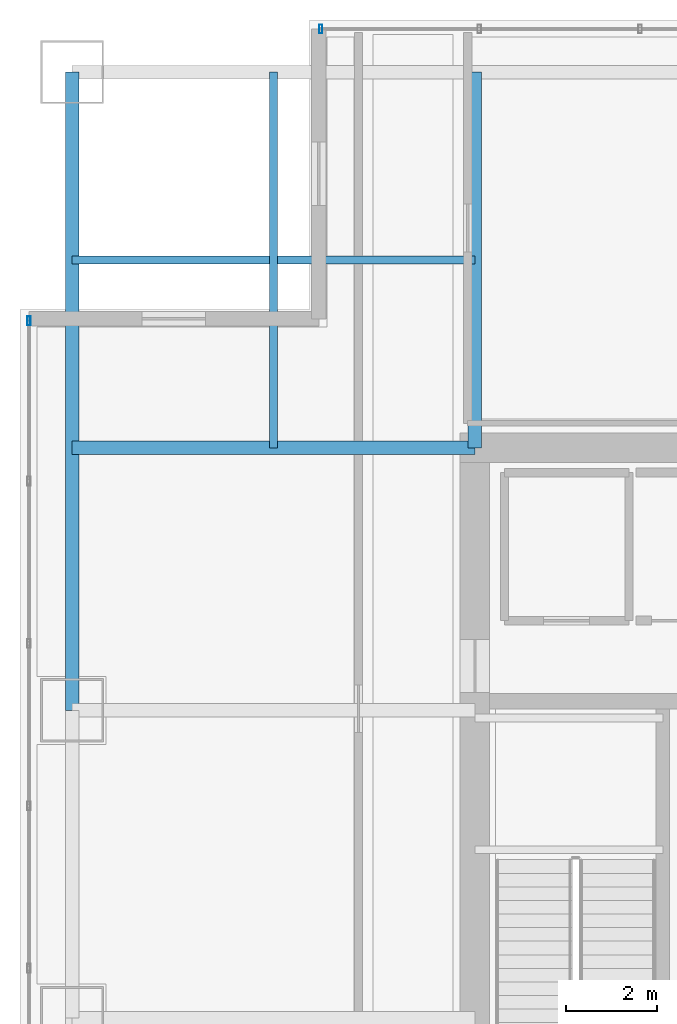
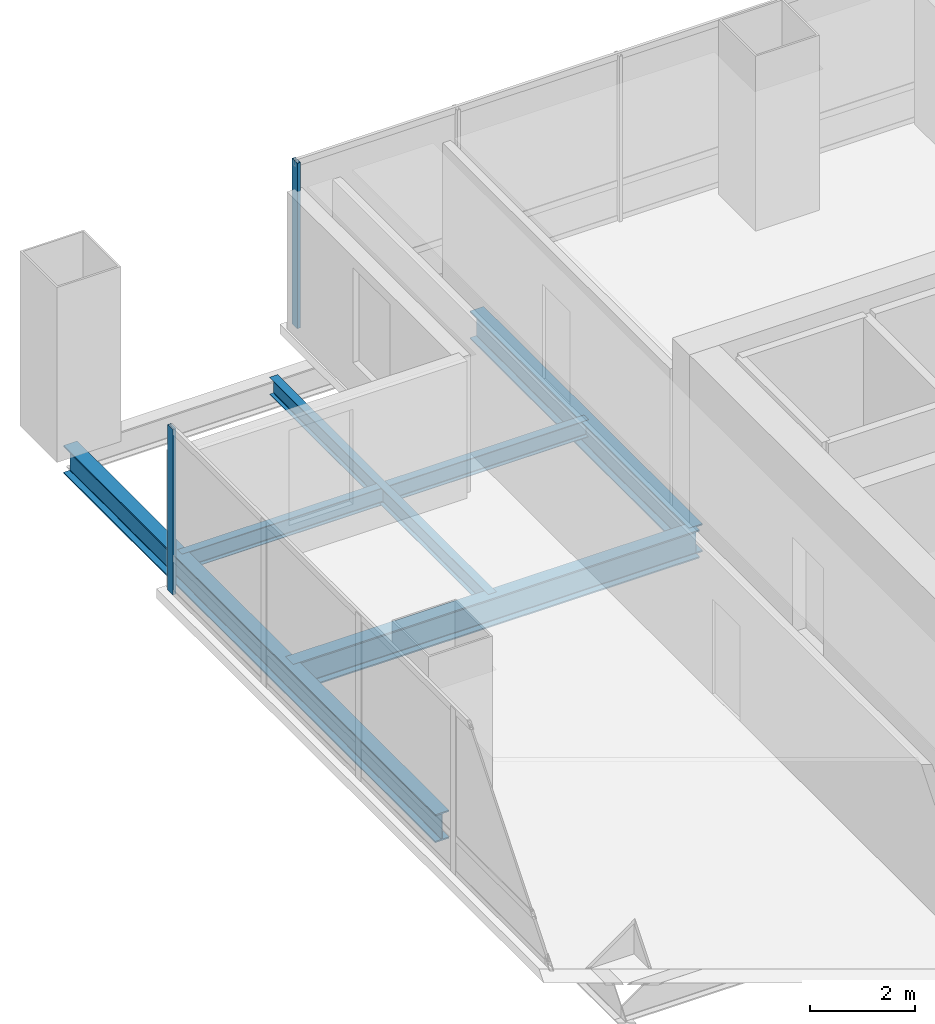
# One storey, part 21 of 36: 5 beams, 2 members, 2 elements without a shape of their own.
"""IFC4 building model written with IfcOpenShell, lengths in metres."""

import ifcopenshell
import ifcopenshell.guid

model = None  # the IFC model being written
_history = None  # IfcOwnerHistory: only IFC2X3 demands one
_inside = {}  # id of a spatial element -> (the spatial element, [elements in it])
_under = {}  # id of a project, library or spatial element -> (it, [spatial elements below it])
_declared = {}  # id of a project -> (the project, [libraries it declares])
_typed = {}  # id of a type object -> (the type object, [elements of that type])
_made_of = {}  # id of a material, layer set ... -> (it, [elements and type objects made of it])


def new_model(schema):
    """Start an empty IFC model of exactly this schema.

    Asked for "IFC4X3", IfcOpenShell would pick the latest addendum, in which some entities
    have other attributes; the version numbers below select the first issue.
    IFC2X3 requires an IfcOwnerHistory on every rooted entity: one is made here for all.
    """
    global model, _history
    if schema == "IFC4X3":
        model = ifcopenshell.file(schema_version=(4, 3, 0, 0))
    else:
        model = ifcopenshell.file(schema=schema)
    _inside.clear()
    _under.clear()
    _declared.clear()
    _typed.clear()
    _made_of.clear()
    _history = None
    if model.schema == "IFC2X3":
        org = make("IfcOrganization", Name="unknown")
        user = make(
            "IfcPersonAndOrganization",
            ThePerson=make("IfcPerson", FamilyName="unknown"),
            TheOrganization=org,
        )
        app = make(
            "IfcApplication",
            ApplicationDeveloper=org,
            Version="unknown",
            ApplicationFullName="unknown",
            ApplicationIdentifier="unknown",
        )
        _history = make(
            "IfcOwnerHistory",
            OwningUser=user,
            OwningApplication=app,
            ChangeAction="ADDED",
            CreationDate=0,
        )
    return model


def make(cls, **values):
    """One entity of the class cls with the attributes given. An attribute that is None is left unset."""
    return model.create_entity(
        cls, **{name: value for name, value in values.items() if value is not None}
    )


def rooted(cls, **values):
    """An entity with a GlobalId (a new one), such as an element, a storey or a relation."""
    return make(cls, GlobalId=ifcopenshell.guid.new(), OwnerHistory=_history, **values)


def si_unit(unit_type, name, prefix=None):
    """IfcSIUnit, for example si_unit("LENGTHUNIT", "METRE", prefix="MILLI")."""
    return make("IfcSIUnit", UnitType=unit_type, Prefix=prefix, Name=name)


def assignment(units):
    """IfcUnitAssignment: the units of a project."""
    return None if units is None else make("IfcUnitAssignment", Units=units)


def point(xyz):
    """IfcCartesianPoint."""
    return None if xyz is None else make("IfcCartesianPoint", Coordinates=xyz)


def direction(xyz):
    """IfcDirection."""
    return None if xyz is None else make("IfcDirection", DirectionRatios=xyz)


def frame(location, z_axis=None, x_axis=None):
    """IfcAxis2Placement3D, a coordinate frame: its origin and axes. An axis left out is left unset."""
    return make(
        "IfcAxis2Placement3D",
        Location=point(location),
        Axis=direction(z_axis),
        RefDirection=direction(x_axis),
    )


def frame_2d(location, x_axis=None):
    """IfcAxis2Placement2D, a coordinate frame in the plane: its origin and x axis."""
    return make(
        "IfcAxis2Placement2D", Location=point(location), RefDirection=direction(x_axis)
    )


def origin():
    """The frame at (0, 0, 0) with its axes left unset."""
    return frame((0.0, 0.0, 0.0))


def origin_2d():
    """The frame at (0, 0) in the plane with its x axis left unset."""
    return frame_2d((0.0, 0.0))


def place(relative_to, where):
    """IfcLocalPlacement: puts the frame where relative to a parent placement (None: the world)."""
    return make(
        "IfcLocalPlacement", PlacementRelTo=relative_to, RelativePlacement=where
    )


def context(
    kind, dimensions, precision=None, world=None, true_north=None, identifier=None
):
    """IfcGeometricRepresentationContext, for example the 3D "Model" context."""
    return make(
        "IfcGeometricRepresentationContext",
        ContextIdentifier=identifier,
        ContextType=kind,
        CoordinateSpaceDimension=dimensions,
        Precision=precision,
        WorldCoordinateSystem=world,
        TrueNorth=true_north,
    )


def subcontext(parent, identifier, kind, view, scale=None):
    """IfcGeometricRepresentationSubContext, for example "Body" below "Model"."""
    return make(
        "IfcGeometricRepresentationSubContext",
        ContextIdentifier=identifier,
        ContextType=kind,
        ParentContext=parent,
        TargetScale=scale,
        TargetView=view,
    )


def project(units=None, contexts=None):
    """IfcProject with its units and contexts."""
    return rooted(
        "IfcProject",
        Name="project",
        RepresentationContexts=contexts,
        UnitsInContext=assignment(units),
    )


def spatial(cls, under=None, at=None, **own):
    """A site, building, storey or space (cls), placed at a placement, below another one or the project."""
    s = rooted(cls, ObjectPlacement=at, **own)
    if under is not None:
        _under.setdefault(under.id(), (under, []))[1].append(s)
    return s


def profile(cls, at=None, kind="AREA", **sizes):
    """A parametric profile (cls). Its sizes go by their IFC names, for example OverallWidth=200.0."""
    return make(cls, ProfileType=kind, Position=at, **sizes)


def hollow_rectangle(**sizes):
    """IfcRectangleHollowProfileDef."""
    return profile("IfcRectangleHollowProfileDef", **sizes)


def i_section(**sizes):
    """IfcIShapeProfileDef."""
    return profile("IfcIShapeProfileDef", **sizes)


def extrude(swept, where, along, depth):
    """IfcExtrudedAreaSolid: the profile swept, set in the frame where, extruded along a direction by depth."""
    return make(
        "IfcExtrudedAreaSolid",
        SweptArea=swept,
        Position=where,
        ExtrudedDirection=direction(along),
        Depth=depth,
    )


def shape(context_of_items, identifier, shape_type, items):
    """IfcShapeRepresentation: the items that make up one representation, for example the "Body"."""
    return make(
        "IfcShapeRepresentation",
        ContextOfItems=context_of_items,
        RepresentationIdentifier=identifier,
        RepresentationType=shape_type,
        Items=items,
    )


def material(Name=None, Category=None):
    """IfcMaterial."""
    return make("IfcMaterial", Name=Name, Category=Category)


def material_profile(
    of_material, cross_section, Name=None, Category=None, Priority=None
):
    """IfcMaterialProfile: a cross section and its material."""
    return make(
        "IfcMaterialProfile",
        Name=Name,
        Material=of_material,
        Profile=cross_section,
        Priority=Priority,
        Category=Category,
    )


def profile_set(profiles, Name=None, composite=None):
    """IfcMaterialProfileSet."""
    return make(
        "IfcMaterialProfileSet",
        Name=Name,
        MaterialProfiles=profiles,
        CompositeProfile=composite,
    )


def made_of(thing, what):
    """Note that an element or type object is made of a material, layer set ...; save() writes the relation."""
    if what is not None:
        _made_of.setdefault(what.id(), (what, []))[1].append(thing)
    return thing


def type_object(cls, material=None, **own):
    """A type object (cls), such as IfcWallType, which elements share."""
    return made_of(rooted(cls, **own), material)


def element(
    cls,
    number,
    at=None,
    inside=None,
    cuts=None,
    type_object=None,
    material=None,
    context=None,
    identifier="Body",
    shape_type=None,
    held_by="IfcProductDefinitionShape",
    body=None,
    shapes=None,
    **own,
):
    """One element of the class cls, such as IfcWall. Its Tag is "e" and its number.

    at: its placement. inside: the storey or other place that contains it. cuts: it is an
    opening in that element (IfcRelVoidsElement). A single representation is given by context,
    identifier, shape_type and body (its items); several are given by shapes. held_by: the class
    of the entity that holds the representations. save() writes the other relations.
    """
    e = rooted(cls, Tag="e%d" % number, ObjectPlacement=at, **own)
    if body is not None:
        shapes = [shape(context, identifier, shape_type, body)]
    if shapes is not None:
        e.Representation = make(held_by, Representations=shapes)
    if inside is not None:
        _inside.setdefault(inside.id(), (inside, []))[1].append(e)
    if cuts is not None:
        rooted(
            "IfcRelVoidsElement", RelatingBuildingElement=cuts, RelatedOpeningElement=e
        )
    if type_object is not None:
        _typed.setdefault(type_object.id(), (type_object, []))[1].append(e)
    return made_of(e, material)


def aggregate(whole, parts):
    """IfcRelAggregates: a whole, such as a stair, and the parts it consists of."""
    return rooted("IfcRelAggregates", RelatingObject=whole, RelatedObjects=parts)


def save(model, path):
    """Write the relations noted so far, then the file.

    IfcRelAggregates (storeys below a building ...), IfcRelContainedInSpatialStructure (elements
    in a storey), IfcRelDefinesByType, IfcRelAssociatesMaterial and IfcRelDeclares: one each for
    every whole, place, type object, material and project.
    """
    for whole, parts in _under.values():
        aggregate(whole, parts)
    for where, things in _inside.values():
        rooted(
            "IfcRelContainedInSpatialStructure",
            RelatedElements=things,
            RelatingStructure=where,
        )
    for kind, things in _typed.values():
        rooted("IfcRelDefinesByType", RelatedObjects=things, RelatingType=kind)
    for what, things in _made_of.values():
        rooted("IfcRelAssociatesMaterial", RelatedObjects=things, RelatingMaterial=what)
    for by, libraries in _declared.values():
        rooted("IfcRelDeclares", RelatingContext=by, RelatedDefinitions=libraries)
    model.write(path)


model = new_model("IFC4")

# Units and contexts
model_context = context("Model", 3, precision=1e-05, world=origin(), true_north=direction((0.0, 1.0)))
body_context = subcontext(model_context, "Body", "Model", "MODEL_VIEW")
ifc_project = project(units=[si_unit("LENGTHUNIT", "METRE"), si_unit("AREAUNIT", "SQUARE_METRE"), si_unit("VOLUMEUNIT", "CUBIC_METRE"), si_unit("PLANEANGLEUNIT", "RADIAN"), si_unit("MASSUNIT", "GRAM", prefix="KILO")], contexts=[model_context])

# Site, building, storey
site_placement = place(None, origin())
site = spatial("IfcSite", under=ifc_project, at=site_placement, CompositionType="ELEMENT")
building_placement = place(site_placement, origin())
building = spatial("IfcBuilding", under=site, at=building_placement, Name="Punatoya Terracotta Tower", CompositionType="ELEMENT")
storey_placement = place(building_placement, frame((0.0, 0.0, 228.89990234375)))
storey = spatial("IfcBuildingStorey", under=building, at=storey_placement, Name="L54", CompositionType="ELEMENT", Elevation=228.89990234375)

# Beams
ifc_material_1 = material(Name="Steel S355", Category="steel")
ifc_material_profile_1 = material_profile(ifc_material_1, i_section(OverallWidth=0.300048828125, OverallDepth=0.64990234375, WebThickness=0.01611328125, FlangeThickness=0.031005859375, FilletRadius=0.01806640625, at=origin_2d()))
ifc_profile_set_1 = profile_set([ifc_material_profile_1], Name="Steel S355")
beam_type_1 = type_object("IfcBeamType", Name="BM-PRI-650", PredefinedType="BEAM", material=ifc_profile_set_1)
beam_1_placement = place(storey_placement, frame((-19.10009765625, 3.39990234375, -0.544921875), z_axis=(0.0, 1.0, 0.0), x_axis=(-1.0, 0.0, 0.0)))
element("IfcBeam", 1, at=beam_1_placement, inside=storey, type_object=beam_type_1, Name="BM-L54-RG-W3", PredefinedType="BEAM", context=body_context, shape_type="SweptSolid", body=[
    extrude(i_section(OverallWidth=0.300048828125, OverallDepth=0.64990234375, WebThickness=0.01611328125, FlangeThickness=0.031005859375, FilletRadius=0.01806640625, at=origin_2d()), origin(), (0.0, 0.0, 1.0), 14.10009765625),
])
beam_2_placement = place(storey_placement, frame((-19.10009765625, 9.199951171875, -0.544921875), z_axis=(1.0, 0.0, 0.0), x_axis=(0.0, 1.0, 0.0)))
element("IfcBeam", 2, at=beam_2_placement, inside=storey, type_object=beam_type_1, Name="BM-L54-PR-WN", PredefinedType="BEAM", context=body_context, shape_type="SweptSolid", body=[
    extrude(i_section(OverallWidth=0.300048828125, OverallDepth=0.64990234375, WebThickness=0.01611328125, FlangeThickness=0.031005859375, FilletRadius=0.01806640625, at=origin_2d()), origin(), (0.0, 0.0, 1.0), 8.900146484375),
])
beam_3_placement = place(storey_placement, frame((-10.199951171875, 9.199951171875, -0.544921875), z_axis=(0.0, 1.0, 0.0), x_axis=(-1.0, 0.0, 0.0)))
element("IfcBeam", 3, at=beam_3_placement, inside=storey, type_object=beam_type_1, Name="BM-L54-PR-N1", PredefinedType="BEAM", context=body_context, shape_type="SweptSolid", body=[
    extrude(i_section(OverallWidth=0.300048828125, OverallDepth=0.64990234375, WebThickness=0.01611328125, FlangeThickness=0.031005859375, FilletRadius=0.01806640625, at=origin_2d()), origin(), (0.0, 0.0, 1.0), 8.300048828125),
])
ifc_material_profile_2 = material_profile(ifc_material_1, i_section(OverallWidth=0.179931640625, OverallDepth=0.39990234375, WebThickness=0.008544921875, FlangeThickness=0.013427734375, FilletRadius=0.01806640625, at=origin_2d()))
ifc_profile_set_2 = profile_set([ifc_material_profile_2], Name="Steel S355")
beam_type_2 = type_object("IfcBeamType", Name="BM-SEC-400", PredefinedType="JOIST", material=ifc_profile_set_2)
beam_4_placement = place(storey_placement, frame((-19.10009765625, 13.35009765625, -0.419921875), z_axis=(1.0, 0.0, 0.0), x_axis=(0.0, 1.0, 0.0)))
element("IfcBeam", 4, at=beam_4_placement, inside=storey, type_object=beam_type_2, Name="BM-L54-SJN-1", PredefinedType="JOIST", context=body_context, shape_type="SweptSolid", body=[
    extrude(i_section(OverallWidth=0.179931640625, OverallDepth=0.39990234375, WebThickness=0.008544921875, FlangeThickness=0.013427734375, FilletRadius=0.01806640625, at=origin_2d()), origin(), (0.0, 0.0, 1.0), 8.900146484375),
])
beam_5_placement = place(storey_placement, frame((-14.64990234375, 9.199951171875, -0.419921875), z_axis=(0.0, 1.0, 0.0), x_axis=(-1.0, 0.0, 0.0)))
element("IfcBeam", 5, at=beam_5_placement, inside=storey, type_object=beam_type_2, Name="BM-L54-SJW-2", PredefinedType="JOIST", context=body_context, shape_type="SweptSolid", body=[
    extrude(i_section(OverallWidth=0.179931640625, OverallDepth=0.39990234375, WebThickness=0.008544921875, FlangeThickness=0.013427734375, FilletRadius=0.01806640625, at=origin_2d()), origin(), (0.0, 0.0, 1.0), 8.300048828125),
])

# Curtain wall, member
ifc_material_2 = material(Name="Aluminium 6063-T6 + Double Low-E Glass", Category="aluminium")
curtain_wall_type = type_object("IfcCurtainWallType", Name="CW-M2", PredefinedType="NOTDEFINED", material=ifc_material_2)
curtain_wall_1_placement = place(storey_placement, origin())
curtain_wall_1 = element("IfcCurtainWall", 6, at=curtain_wall_1_placement, inside=storey, type_object=curtain_wall_type, Name="L54 Curtain Wall CW-L54-N08-1", PredefinedType="NOTDEFINED")
ifc_material_3 = material(Name="Aluminium 6063-T6", Category="aluminium")
ifc_material_profile_3 = material_profile(ifc_material_3, hollow_rectangle(XDim=0.072021484375, YDim=0.195068359375, WallThickness=0.00439453125, at=origin_2d()))
ifc_profile_set_3 = profile_set([ifc_material_profile_3], Name="Aluminium 6063-T6")
member_type = type_object("IfcMemberType", Name="CW-MUL-M2", PredefinedType="MULLION", material=ifc_profile_set_3)
member_1_placement = place(storey_placement, frame((-13.60498046875, 18.449951171875, 0.0), z_axis=(0.0, 0.0, 1.0), x_axis=(1.0, 0.0, 0.0)))
member_1 = element("IfcMember", 7, at=member_1_placement, type_object=member_type, Name="CW-L54-N08-1 Mullion 10", PredefinedType="MULLION", context=body_context, shape_type="SweptSolid", body=[
    extrude(hollow_rectangle(XDim=0.072021484375, YDim=0.195068359375, WallThickness=0.00439453125, at=origin_2d()), origin(), (0.0, 0.0, 1.0), 3.830078125),
])
aggregate(curtain_wall_1, [member_1])

curtain_wall_2_placement = place(storey_placement, origin())
curtain_wall_2 = element("IfcCurtainWall", 8, at=curtain_wall_2_placement, inside=storey, type_object=curtain_wall_type, Name="L54 Curtain Wall CW-L54-W11-1", PredefinedType="NOTDEFINED")
member_2_placement = place(storey_placement, frame((-20.050048828125, 12.0048828125, 0.0), z_axis=(0.0, 0.0, 1.0), x_axis=(1.0, 0.0, 0.0)))
member_2 = element("IfcMember", 9, at=member_2_placement, type_object=member_type, Name="CW-L54-W11-1 Mullion 00", PredefinedType="MULLION", context=body_context, shape_type="SweptSolid", body=[
    extrude(hollow_rectangle(XDim=0.072021484375, YDim=0.195068359375, WallThickness=0.00439453125, at=origin_2d()), origin(), (0.0, 0.0, 1.0), 3.830078125),
])
aggregate(curtain_wall_2, [member_2])

save(model, "model.ifc")
